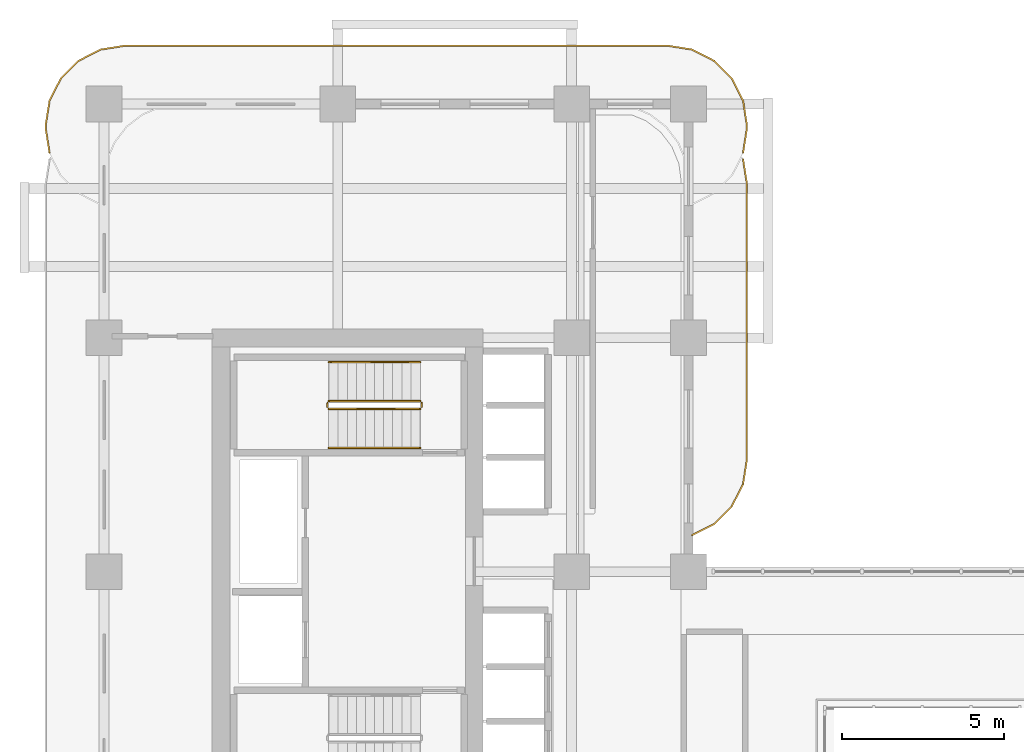
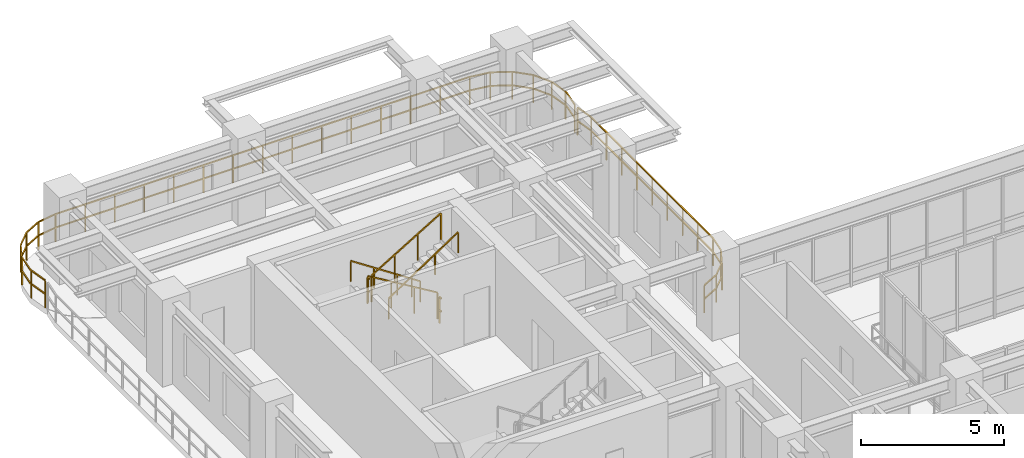
# One storey, part 22 of 22: 8 railings.
"""IFC4 building model written with IfcOpenShell, lengths in metres."""

from ifc_helpers import new_model, si_unit, derived_unit, direction, frame, origin, origin_2d, place, context, subcontext, project, spatial, rectangle, extrude, material, type_object, element, save


model = new_model("IFC4")

# Units and contexts
model_context = context("Model", 3, precision=1e-05, world=origin(), true_north=direction((0.0, 1.0)))
body_context = subcontext(model_context, "Body", "Model", "MODEL_VIEW")
ifc_project = project(units=[si_unit("LENGTHUNIT", "METRE"), si_unit("AREAUNIT", "SQUARE_METRE"), si_unit("VOLUMEUNIT", "CUBIC_METRE"), si_unit("PLANEANGLEUNIT", "RADIAN"), si_unit("MASSUNIT", "GRAM", prefix="KILO"), si_unit("THERMODYNAMICTEMPERATUREUNIT", "KELVIN"), si_unit("POWERUNIT", "WATT"), derived_unit("THERMALTRANSMITTANCEUNIT", [(si_unit("POWERUNIT", "WATT"), 1), (si_unit("AREAUNIT", "SQUARE_METRE"), -1), (si_unit("THERMODYNAMICTEMPERATUREUNIT", "KELVIN"), -1)])], contexts=[model_context])

# Site, building, storey
site_placement = place(None, origin())
site = spatial("IfcSite", under=ifc_project, at=site_placement, CompositionType="ELEMENT")
building_placement = place(site_placement, origin())
building = spatial("IfcBuilding", under=site, at=building_placement, Name="Zahravan Archway Hotel and Residences", CompositionType="ELEMENT")
storey_placement = place(building_placement, frame((0.0, 0.0, 95.300048828125)))
storey = spatial("IfcBuildingStorey", under=building, at=storey_placement, Name="L23", CompositionType="ELEMENT", Elevation=95.300048828125)

# Railings
ifc_material_1 = material(Name="Bronze & Laminated Glass Balustrade", Category="glass")
railing_type_1 = type_object("IfcRailingType", Name="RL-BAL-1200", PredefinedType="BALUSTRADE", material=ifc_material_1)
railing_1_placement = place(storey_placement, frame((-1.68017578125, 45.29296875, 0.0)))
element("IfcRailing", 1, at=railing_1_placement, inside=storey, type_object=railing_type_1, Name="L23 Balustrade RL-SLB-BAL-L23-NB-1", PredefinedType="BALUSTRADE", context=body_context, shape_type="SweptSolid", body=[
    extrude(rectangle(XDim=0.048095703125, YDim=0.048095703125, at=origin_2d()), frame((0.0, 0.0, 1.17578125), z_axis=(-0.156387811283, 0.987695728695, 0.0), x_axis=(-0.987695728695, -0.156387811283, 0.0)), (0.0, 0.0, 1.0), 0.7666015625),
    extrude(rectangle(XDim=0.048095703125, YDim=0.048095703125, at=origin_2d()), frame((0.0, 0.0, 0.60009765625), z_axis=(-0.156387811283, 0.987695728695, 0.0), x_axis=(-0.987695728695, -0.156387811283, 0.0)), (0.0, 0.0, 1.0), 0.7666015625),
    extrude(rectangle(XDim=0.048095703125, YDim=0.048095703125, at=origin_2d()), frame((-0.119873046875, 0.757080078125, 1.17578125), z_axis=(0.0, 1.0, 0.0), x_axis=(-1.0, 0.0, 0.0)), (0.0, 0.0, 1.0), 0.099853515625),
    extrude(rectangle(XDim=0.048095703125, YDim=0.048095703125, at=origin_2d()), frame((-0.119873046875, 0.757080078125, 0.60009765625), z_axis=(0.0, 1.0, 0.0), x_axis=(-1.0, 0.0, 0.0)), (0.0, 0.0, 1.0), 0.099853515625),
    extrude(rectangle(XDim=0.048095703125, YDim=0.048095703125, at=origin_2d()), frame((-0.119873046875, 0.85693359375, 1.17578125), z_axis=(0.156387811283, 0.987695728695, 0.0), x_axis=(-0.987695728695, 0.156387811283, 0.0)), (0.0, 0.0, 1.0), 0.7666015625),
    extrude(rectangle(XDim=0.048095703125, YDim=0.048095703125, at=origin_2d()), frame((-0.119873046875, 0.85693359375, 0.60009765625), z_axis=(0.156387811283, 0.987695728695, 0.0), x_axis=(-0.987695728695, 0.156387811283, 0.0)), (0.0, 0.0, 1.0), 0.7666015625),
    extrude(rectangle(XDim=0.048095703125, YDim=0.048095703125, at=origin_2d()), frame((0.0, 1.614013671875, 1.17578125), z_axis=(0.454078418624, 0.890961721815, 0.0), x_axis=(-0.890961721815, 0.454078418624, 0.0)), (0.0, 0.0, 1.0), 0.7666015625),
    extrude(rectangle(XDim=0.048095703125, YDim=0.048095703125, at=origin_2d()), frame((0.0, 1.614013671875, 0.60009765625), z_axis=(0.454078418624, 0.890961721815, 0.0), x_axis=(-0.890961721815, 0.454078418624, 0.0)), (0.0, 0.0, 1.0), 0.7666015625),
    extrude(rectangle(XDim=0.048095703125, YDim=0.048095703125, at=origin_2d()), frame((0.34814453125, 2.297119140625, 1.17578125), z_axis=(0.707106781187, 0.707106781187, 0.0), x_axis=(-0.707106781187, 0.707106781187, 0.0)), (0.0, 0.0, 1.0), 0.7666015625),
    extrude(rectangle(XDim=0.048095703125, YDim=0.048095703125, at=origin_2d()), frame((0.34814453125, 2.297119140625, 0.60009765625), z_axis=(0.707106781187, 0.707106781187, 0.0), x_axis=(-0.707106781187, 0.707106781187, 0.0)), (0.0, 0.0, 1.0), 0.7666015625),
    extrude(rectangle(XDim=0.048095703125, YDim=0.048095703125, at=origin_2d()), frame((0.89013671875, 2.839111328125, 1.17578125), z_axis=(0.891024909783, 0.453954414172, 0.0), x_axis=(-0.453954414172, 0.891024909783, 0.0)), (0.0, 0.0, 1.0), 0.766357421875),
    extrude(rectangle(XDim=0.048095703125, YDim=0.048095703125, at=origin_2d()), frame((0.89013671875, 2.839111328125, 0.60009765625), z_axis=(0.891024909783, 0.453954414172, 0.0), x_axis=(-0.453954414172, 0.891024909783, 0.0)), (0.0, 0.0, 1.0), 0.766357421875),
    extrude(rectangle(XDim=0.048095703125, YDim=0.048095703125, at=origin_2d()), frame((1.572998046875, 3.18701171875, 1.17578125), z_axis=(0.987646484274, 0.156698507018, 0.0), x_axis=(-0.156698507018, 0.987646484274, 0.0)), (0.0, 0.0, 1.0), 0.7666015625),
    extrude(rectangle(XDim=0.048095703125, YDim=0.048095703125, at=origin_2d()), frame((1.572998046875, 3.18701171875, 0.60009765625), z_axis=(0.987646484274, 0.156698507018, 0.0), x_axis=(-0.156698507018, 0.987646484274, 0.0)), (0.0, 0.0, 1.0), 0.7666015625),
    extrude(rectangle(XDim=0.048095703125, YDim=0.048095703125, at=origin_2d()), frame((2.330078125, 3.30712890625, 1.17578125), z_axis=(1.0, 0.0, 0.0), x_axis=(0.0, 1.0, 0.0)), (0.0, 0.0, 1.0), 16.7001953125),
    extrude(rectangle(XDim=0.048095703125, YDim=0.048095703125, at=origin_2d()), frame((2.330078125, 3.30712890625, 0.60009765625), z_axis=(1.0, 0.0, 0.0), x_axis=(0.0, 1.0, 0.0)), (0.0, 0.0, 1.0), 16.7001953125),
    extrude(rectangle(XDim=0.048095703125, YDim=0.048095703125, at=origin_2d()), frame((19.0302734375, 3.30712890625, 1.17578125), z_axis=(0.987646484274, -0.156698507018, 0.0), x_axis=(0.156698507018, 0.987646484274, 0.0)), (0.0, 0.0, 1.0), 0.7666015625),
    extrude(rectangle(XDim=0.048095703125, YDim=0.048095703125, at=origin_2d()), frame((19.0302734375, 3.30712890625, 0.60009765625), z_axis=(0.987646484274, -0.156698507018, 0.0), x_axis=(0.156698507018, 0.987646484274, 0.0)), (0.0, 0.0, 1.0), 0.7666015625),
    extrude(rectangle(XDim=0.048095703125, YDim=0.048095703125, at=origin_2d()), frame((19.787353515625, 3.18701171875, 1.17578125), z_axis=(0.891024909783, -0.453954414172, 0.0), x_axis=(0.453954414172, 0.891024909783, 0.0)), (0.0, 0.0, 1.0), 0.766357421875),
    extrude(rectangle(XDim=0.048095703125, YDim=0.048095703125, at=origin_2d()), frame((19.787353515625, 3.18701171875, 0.60009765625), z_axis=(0.891024909783, -0.453954414172, 0.0), x_axis=(0.453954414172, 0.891024909783, 0.0)), (0.0, 0.0, 1.0), 0.766357421875),
    extrude(rectangle(XDim=0.048095703125, YDim=0.048095703125, at=origin_2d()), frame((20.47021484375, 2.839111328125, 1.17578125), z_axis=(0.707106781187, -0.707106781187, 0.0), x_axis=(0.707106781187, 0.707106781187, 0.0)), (0.0, 0.0, 1.0), 0.7666015625),
    extrude(rectangle(XDim=0.048095703125, YDim=0.048095703125, at=origin_2d()), frame((20.47021484375, 2.839111328125, 0.60009765625), z_axis=(0.707106781187, -0.707106781187, 0.0), x_axis=(0.707106781187, 0.707106781187, 0.0)), (0.0, 0.0, 1.0), 0.7666015625),
    extrude(rectangle(XDim=0.048095703125, YDim=0.048095703125, at=origin_2d()), frame((21.01220703125, 2.297119140625, 1.17578125), z_axis=(0.454078418624, -0.890961721815, 0.0), x_axis=(0.890961721815, 0.454078418624, 0.0)), (0.0, 0.0, 1.0), 0.7666015625),
    extrude(rectangle(XDim=0.048095703125, YDim=0.048095703125, at=origin_2d()), frame((21.01220703125, 2.297119140625, 0.60009765625), z_axis=(0.454078418624, -0.890961721815, 0.0), x_axis=(0.890961721815, 0.454078418624, 0.0)), (0.0, 0.0, 1.0), 0.7666015625),
    extrude(rectangle(XDim=0.048095703125, YDim=0.048095703125, at=origin_2d()), frame((21.3603515625, 1.614013671875, 1.17578125), z_axis=(0.156387811283, -0.987695728695, 0.0), x_axis=(0.987695728695, 0.156387811283, 0.0)), (0.0, 0.0, 1.0), 0.7666015625),
    extrude(rectangle(XDim=0.048095703125, YDim=0.048095703125, at=origin_2d()), frame((21.3603515625, 1.614013671875, 0.60009765625), z_axis=(0.156387811283, -0.987695728695, 0.0), x_axis=(0.987695728695, 0.156387811283, 0.0)), (0.0, 0.0, 1.0), 0.7666015625),
    extrude(rectangle(XDim=0.048095703125, YDim=0.048095703125, at=origin_2d()), frame((21.480224609375, 0.85693359375, 1.17578125), z_axis=(0.0, -1.0, 0.0), x_axis=(1.0, 0.0, 0.0)), (0.0, 0.0, 1.0), 0.099853515625),
    extrude(rectangle(XDim=0.048095703125, YDim=0.048095703125, at=origin_2d()), frame((21.480224609375, 0.85693359375, 0.60009765625), z_axis=(0.0, -1.0, 0.0), x_axis=(1.0, 0.0, 0.0)), (0.0, 0.0, 1.0), 0.099853515625),
    extrude(rectangle(XDim=0.048095703125, YDim=0.048095703125, at=origin_2d()), frame((21.480224609375, 0.757080078125, 1.17578125), z_axis=(-0.156387811283, -0.987695728695, 0.0), x_axis=(0.987695728695, -0.156387811283, 0.0)), (0.0, 0.0, 1.0), 0.7666015625),
    extrude(rectangle(XDim=0.048095703125, YDim=0.048095703125, at=origin_2d()), frame((21.480224609375, 0.757080078125, 0.60009765625), z_axis=(-0.156387811283, -0.987695728695, 0.0), x_axis=(0.987695728695, -0.156387811283, 0.0)), (0.0, 0.0, 1.0), 0.7666015625),
    extrude(rectangle(XDim=0.0419921875, YDim=0.0419921875, at=origin_2d()), origin(), (0.0, 0.0, 1.0), 1.15185546875),
    extrude(rectangle(XDim=0.0419921875, YDim=0.0419921875, at=origin_2d()), frame((-0.119873046875, 0.757080078125, 0.0)), (0.0, 0.0, 1.0), 1.15185546875),
    extrude(rectangle(XDim=0.0419921875, YDim=0.0419921875, at=origin_2d()), frame((0.0, 1.614013671875, 0.0)), (0.0, 0.0, 1.0), 1.15185546875),
    extrude(rectangle(XDim=0.0419921875, YDim=0.0419921875, at=origin_2d()), frame((0.34814453125, 2.297119140625, 0.0)), (0.0, 0.0, 1.0), 1.15185546875),
    extrude(rectangle(XDim=0.0419921875, YDim=0.0419921875, at=origin_2d()), frame((0.89013671875, 2.839111328125, 0.0)), (0.0, 0.0, 1.0), 1.15185546875),
    extrude(rectangle(XDim=0.0419921875, YDim=0.0419921875, at=origin_2d()), frame((1.572998046875, 3.18701171875, 0.0)), (0.0, 0.0, 1.0), 1.15185546875),
    extrude(rectangle(XDim=0.0419921875, YDim=0.0419921875, at=origin_2d()), frame((2.330078125, 3.30712890625, 0.0)), (0.0, 0.0, 1.0), 1.15185546875),
    extrude(rectangle(XDim=0.0419921875, YDim=0.0419921875, at=origin_2d()), frame((3.52294921875, 3.30712890625, 0.0)), (0.0, 0.0, 1.0), 1.15185546875),
    extrude(rectangle(XDim=0.0419921875, YDim=0.0419921875, at=origin_2d()), frame((4.7158203125, 3.30712890625, 0.0)), (0.0, 0.0, 1.0), 1.15185546875),
    extrude(rectangle(XDim=0.0419921875, YDim=0.0419921875, at=origin_2d()), frame((5.90869140625, 3.30712890625, 0.0)), (0.0, 0.0, 1.0), 1.15185546875),
    extrude(rectangle(XDim=0.0419921875, YDim=0.0419921875, at=origin_2d()), frame((7.1015625, 3.30712890625, 0.0)), (0.0, 0.0, 1.0), 1.15185546875),
    extrude(rectangle(XDim=0.0419921875, YDim=0.0419921875, at=origin_2d()), frame((8.29443359375, 3.30712890625, 0.0)), (0.0, 0.0, 1.0), 1.15185546875),
    extrude(rectangle(XDim=0.0419921875, YDim=0.0419921875, at=origin_2d()), frame((9.4873046875, 3.30712890625, 0.0)), (0.0, 0.0, 1.0), 1.15185546875),
    extrude(rectangle(XDim=0.0419921875, YDim=0.0419921875, at=origin_2d()), frame((10.68017578125, 3.30712890625, 0.0)), (0.0, 0.0, 1.0), 1.15185546875),
    extrude(rectangle(XDim=0.0419921875, YDim=0.0419921875, at=origin_2d()), frame((11.873046875, 3.30712890625, 0.0)), (0.0, 0.0, 1.0), 1.15185546875),
    extrude(rectangle(XDim=0.0419921875, YDim=0.0419921875, at=origin_2d()), frame((13.06591796875, 3.30712890625, 0.0)), (0.0, 0.0, 1.0), 1.15185546875),
    extrude(rectangle(XDim=0.0419921875, YDim=0.0419921875, at=origin_2d()), frame((14.2587890625, 3.30712890625, 0.0)), (0.0, 0.0, 1.0), 1.15185546875),
    extrude(rectangle(XDim=0.0419921875, YDim=0.0419921875, at=origin_2d()), frame((15.45166015625, 3.30712890625, 0.0)), (0.0, 0.0, 1.0), 1.15185546875),
    extrude(rectangle(XDim=0.0419921875, YDim=0.0419921875, at=origin_2d()), frame((16.64453125, 3.30712890625, 0.0)), (0.0, 0.0, 1.0), 1.15185546875),
    extrude(rectangle(XDim=0.0419921875, YDim=0.0419921875, at=origin_2d()), frame((17.83740234375, 3.30712890625, 0.0)), (0.0, 0.0, 1.0), 1.15185546875),
    extrude(rectangle(XDim=0.0419921875, YDim=0.0419921875, at=origin_2d()), frame((19.0302734375, 3.30712890625, 0.0)), (0.0, 0.0, 1.0), 1.15185546875),
    extrude(rectangle(XDim=0.0419921875, YDim=0.0419921875, at=origin_2d()), frame((19.787353515625, 3.18701171875, 0.0)), (0.0, 0.0, 1.0), 1.15185546875),
    extrude(rectangle(XDim=0.0419921875, YDim=0.0419921875, at=origin_2d()), frame((20.47021484375, 2.839111328125, 0.0)), (0.0, 0.0, 1.0), 1.15185546875),
    extrude(rectangle(XDim=0.0419921875, YDim=0.0419921875, at=origin_2d()), frame((21.01220703125, 2.297119140625, 0.0)), (0.0, 0.0, 1.0), 1.15185546875),
    extrude(rectangle(XDim=0.0419921875, YDim=0.0419921875, at=origin_2d()), frame((21.3603515625, 1.614013671875, 0.0)), (0.0, 0.0, 1.0), 1.15185546875),
    extrude(rectangle(XDim=0.0419921875, YDim=0.0419921875, at=origin_2d()), frame((21.480224609375, 0.85693359375, 0.0)), (0.0, 0.0, 1.0), 1.15185546875),
    extrude(rectangle(XDim=0.0419921875, YDim=0.0419921875, at=origin_2d()), frame((21.3603515625, 0.0, 0.0)), (0.0, 0.0, 1.0), 1.15185546875),
])
railing_2_placement = place(storey_placement, frame((19.68017578125, 45.107177734375, 0.0)))
element("IfcRailing", 2, at=railing_2_placement, inside=storey, type_object=railing_type_1, Name="L23 Balustrade RL-SLB-BAL-L23-EB-1", PredefinedType="BALUSTRADE", context=body_context, shape_type="SweptSolid", body=[
    extrude(rectangle(XDim=0.048095703125, YDim=0.048095703125, at=origin_2d()), frame((0.0, 0.0, 1.17578125), z_axis=(0.156387811283, -0.987695728695, 0.0), x_axis=(0.987695728695, 0.156387811283, 0.0)), (0.0, 0.0, 1.0), 0.7666015625),
    extrude(rectangle(XDim=0.048095703125, YDim=0.048095703125, at=origin_2d()), frame((0.0, 0.0, 0.60009765625), z_axis=(0.156387811283, -0.987695728695, 0.0), x_axis=(0.987695728695, 0.156387811283, 0.0)), (0.0, 0.0, 1.0), 0.7666015625),
    extrude(rectangle(XDim=0.048095703125, YDim=0.048095703125, at=origin_2d()), frame((0.119873046875, -0.757080078125, 1.17578125), z_axis=(0.0, -1.0, 0.0), x_axis=(1.0, 0.0, 0.0)), (0.0, 0.0, 1.0), 8.5),
    extrude(rectangle(XDim=0.048095703125, YDim=0.048095703125, at=origin_2d()), frame((0.119873046875, -0.757080078125, 0.60009765625), z_axis=(0.0, -1.0, 0.0), x_axis=(1.0, 0.0, 0.0)), (0.0, 0.0, 1.0), 8.5),
    extrude(rectangle(XDim=0.048095703125, YDim=0.048095703125, at=origin_2d()), frame((0.119873046875, -9.257080078125, 1.17578125), z_axis=(-0.156387811283, -0.987695728695, 0.0), x_axis=(0.987695728695, -0.156387811283, 0.0)), (0.0, 0.0, 1.0), 0.7666015625),
    extrude(rectangle(XDim=0.048095703125, YDim=0.048095703125, at=origin_2d()), frame((0.119873046875, -9.257080078125, 0.60009765625), z_axis=(-0.156387811283, -0.987695728695, 0.0), x_axis=(0.987695728695, -0.156387811283, 0.0)), (0.0, 0.0, 1.0), 0.7666015625),
    extrude(rectangle(XDim=0.048095703125, YDim=0.048095703125, at=origin_2d()), frame((0.0, -10.01416015625, 1.17578125), z_axis=(-0.454078418624, -0.890961721815, 0.0), x_axis=(0.890961721815, -0.454078418624, 0.0)), (0.0, 0.0, 1.0), 0.7666015625),
    extrude(rectangle(XDim=0.048095703125, YDim=0.048095703125, at=origin_2d()), frame((0.0, -10.01416015625, 0.60009765625), z_axis=(-0.454078418624, -0.890961721815, 0.0), x_axis=(0.890961721815, -0.454078418624, 0.0)), (0.0, 0.0, 1.0), 0.7666015625),
    extrude(rectangle(XDim=0.048095703125, YDim=0.048095703125, at=origin_2d()), frame((-0.34814453125, -10.697265625, 1.17578125), z_axis=(-0.707106781187, -0.707106781187, 0.0), x_axis=(0.707106781187, -0.707106781187, 0.0)), (0.0, 0.0, 1.0), 0.7666015625),
    extrude(rectangle(XDim=0.048095703125, YDim=0.048095703125, at=origin_2d()), frame((-0.34814453125, -10.697265625, 0.60009765625), z_axis=(-0.707106781187, -0.707106781187, 0.0), x_axis=(0.707106781187, -0.707106781187, 0.0)), (0.0, 0.0, 1.0), 0.7666015625),
    extrude(rectangle(XDim=0.048095703125, YDim=0.048095703125, at=origin_2d()), frame((-0.89013671875, -11.2392578125, 1.17578125), z_axis=(-0.891024909783, -0.453954414172, 0.0), x_axis=(0.453954414172, -0.891024909783, 0.0)), (0.0, 0.0, 1.0), 0.766357421875),
    extrude(rectangle(XDim=0.048095703125, YDim=0.048095703125, at=origin_2d()), frame((-0.89013671875, -11.2392578125, 0.60009765625), z_axis=(-0.891024909783, -0.453954414172, 0.0), x_axis=(0.453954414172, -0.891024909783, 0.0)), (0.0, 0.0, 1.0), 0.766357421875),
    extrude(rectangle(XDim=0.0419921875, YDim=0.0419921875, at=origin_2d()), origin(), (0.0, 0.0, 1.0), 1.15185546875),
    extrude(rectangle(XDim=0.0419921875, YDim=0.0419921875, at=origin_2d()), frame((0.119873046875, -0.757080078125, 0.0)), (0.0, 0.0, 1.0), 1.15185546875),
    extrude(rectangle(XDim=0.0419921875, YDim=0.0419921875, at=origin_2d()), frame((0.119873046875, -1.819580078125, 0.0)), (0.0, 0.0, 1.0), 1.15185546875),
    extrude(rectangle(XDim=0.0419921875, YDim=0.0419921875, at=origin_2d()), frame((0.119873046875, -2.882080078125, 0.0)), (0.0, 0.0, 1.0), 1.15185546875),
    extrude(rectangle(XDim=0.0419921875, YDim=0.0419921875, at=origin_2d()), frame((0.119873046875, -3.944580078125, 0.0)), (0.0, 0.0, 1.0), 1.15185546875),
    extrude(rectangle(XDim=0.0419921875, YDim=0.0419921875, at=origin_2d()), frame((0.119873046875, -5.007080078125, 0.0)), (0.0, 0.0, 1.0), 1.15185546875),
    extrude(rectangle(XDim=0.0419921875, YDim=0.0419921875, at=origin_2d()), frame((0.119873046875, -6.069580078125, 0.0)), (0.0, 0.0, 1.0), 1.15185546875),
    extrude(rectangle(XDim=0.0419921875, YDim=0.0419921875, at=origin_2d()), frame((0.119873046875, -7.132080078125, 0.0)), (0.0, 0.0, 1.0), 1.15185546875),
    extrude(rectangle(XDim=0.0419921875, YDim=0.0419921875, at=origin_2d()), frame((0.119873046875, -8.194580078125, 0.0)), (0.0, 0.0, 1.0), 1.15185546875),
    extrude(rectangle(XDim=0.0419921875, YDim=0.0419921875, at=origin_2d()), frame((0.119873046875, -9.257080078125, 0.0)), (0.0, 0.0, 1.0), 1.15185546875),
    extrude(rectangle(XDim=0.0419921875, YDim=0.0419921875, at=origin_2d()), frame((0.0, -10.01416015625, 0.0)), (0.0, 0.0, 1.0), 1.15185546875),
    extrude(rectangle(XDim=0.0419921875, YDim=0.0419921875, at=origin_2d()), frame((-0.34814453125, -10.697265625, 0.0)), (0.0, 0.0, 1.0), 1.15185546875),
    extrude(rectangle(XDim=0.0419921875, YDim=0.0419921875, at=origin_2d()), frame((-0.89013671875, -11.2392578125, 0.0)), (0.0, 0.0, 1.0), 1.15185546875),
    extrude(rectangle(XDim=0.0419921875, YDim=0.0419921875, at=origin_2d()), frame((-1.572998046875, -11.587158203125, 0.0)), (0.0, 0.0, 1.0), 1.15185546875),
])
ifc_material_2 = material(Name="Painted Tubular Steel", Category="steel")
railing_type_2 = type_object("IfcRailingType", Name="RL-STG-1150", PredefinedType="GUARDRAIL", material=ifc_material_2)
railing_3_placement = place(storey_placement, frame((9.72998046875, 37.64990234375, 0.168212890625)))
element("IfcRailing", 3, at=railing_3_placement, inside=storey, type_object=railing_type_2, Name="L23 ST-B2 stair guard 1", PredefinedType="GUARDRAIL", context=body_context, shape_type="SweptSolid", body=[
    extrude(rectangle(XDim=0.048095703125, YDim=0.048095703125, at=origin_2d()), frame((0.0, 0.0, 1.1259765625), z_axis=(-0.857275202839, 0.0, 0.514858452973), x_axis=(0.0, -1.0, 0.0)), (0.0, 0.0, 1.0), 3.26611328125),
    extrude(rectangle(XDim=0.0419921875, YDim=0.0419921875, at=origin_2d()), origin(), (0.0, 0.0, 1.0), 1.101806640625),
    extrude(rectangle(XDim=0.0419921875, YDim=0.0419921875, at=origin_2d()), frame((-0.933349609375, 0.0, 0.560546875)), (0.0, 0.0, 1.0), 1.101806640625),
    extrude(rectangle(XDim=0.0419921875, YDim=0.0419921875, at=origin_2d()), frame((-1.86669921875, 0.0, 1.12109375)), (0.0, 0.0, 1.0), 1.101806640625),
    extrude(rectangle(XDim=0.0419921875, YDim=0.0419921875, at=origin_2d()), frame((-2.800048828125, 0.0, 1.681640625)), (0.0, 0.0, 1.0), 1.101806640625),
])
railing_4_placement = place(storey_placement, frame((6.8798828125, 37.60009765625, 1.849853515625)))
element("IfcRailing", 4, at=railing_4_placement, inside=storey, type_object=railing_type_2, Name="L23 ST-B2 stair guard 2", PredefinedType="GUARDRAIL", context=body_context, shape_type="SweptSolid", body=[
    extrude(rectangle(XDim=0.048095703125, YDim=0.048095703125, at=origin_2d()), frame((0.0, 0.0, 1.1259765625), z_axis=(0.0, -1.0, 0.0), x_axis=(1.0, 0.0, 0.0)), (0.0, 0.0, 1.0), 0.14013671875),
    extrude(rectangle(XDim=0.048095703125, YDim=0.048095703125, at=origin_2d()), frame((0.0, 0.0, 0.574951171875), z_axis=(0.0, -1.0, 0.0), x_axis=(1.0, 0.0, 0.0)), (0.0, 0.0, 1.0), 0.14013671875),
    extrude(rectangle(XDim=0.0419921875, YDim=0.0419921875, at=origin_2d()), origin(), (0.0, 0.0, 1.0), 1.101806640625),
])
railing_5_placement = place(storey_placement, frame((6.929931640625, 37.409912109375, 2.01806640625)))
element("IfcRailing", 5, at=railing_5_placement, inside=storey, type_object=railing_type_2, Name="L23 ST-B2 stair guard 3", PredefinedType="GUARDRAIL", context=body_context, shape_type="SweptSolid", body=[
    extrude(rectangle(XDim=0.048095703125, YDim=0.048095703125, at=origin_2d()), frame((0.0, 0.0, 1.1259765625), z_axis=(0.857242210791, 0.0, 0.514913383045), x_axis=(0.0, 1.0, 0.0)), (0.0, 0.0, 1.0), 3.266357421875),
    extrude(rectangle(XDim=0.0419921875, YDim=0.0419921875, at=origin_2d()), origin(), (0.0, 0.0, 1.0), 1.101806640625),
    extrude(rectangle(XDim=0.0419921875, YDim=0.0419921875, at=origin_2d()), frame((0.933349609375, 0.0, 0.560546875)), (0.0, 0.0, 1.0), 1.101806640625),
    extrude(rectangle(XDim=0.0419921875, YDim=0.0419921875, at=origin_2d()), frame((1.86669921875, 0.0, 1.121337890625)), (0.0, 0.0, 1.0), 1.101806640625),
    extrude(rectangle(XDim=0.0419921875, YDim=0.0419921875, at=origin_2d()), frame((2.800048828125, 0.0, 1.681884765625)), (0.0, 0.0, 1.0), 1.101806640625),
])
railing_6_placement = place(storey_placement, frame((9.780029296875, 37.60009765625, 0.0)))
element("IfcRailing", 6, at=railing_6_placement, inside=storey, type_object=railing_type_2, Name="L23 ST-B2 stair guard 4", PredefinedType="GUARDRAIL", context=body_context, shape_type="SweptSolid", body=[
    extrude(rectangle(XDim=0.048095703125, YDim=0.048095703125, at=origin_2d()), frame((0.0, 0.0, 1.1259765625), z_axis=(0.0, -1.0, 0.0), x_axis=(1.0, 0.0, 0.0)), (0.0, 0.0, 1.0), 0.14013671875),
    extrude(rectangle(XDim=0.048095703125, YDim=0.048095703125, at=origin_2d()), frame((0.0, 0.0, 0.574951171875), z_axis=(0.0, -1.0, 0.0), x_axis=(1.0, 0.0, 0.0)), (0.0, 0.0, 1.0), 0.14013671875),
    extrude(rectangle(XDim=0.0419921875, YDim=0.0419921875, at=origin_2d()), origin(), (0.0, 0.0, 1.0), 1.101806640625),
])
ifc_material_3 = material(Name="Brushed Stainless Steel", Category="steel")
railing_type_3 = type_object("IfcRailingType", Name="RL-STH-900", PredefinedType="HANDRAIL", material=ifc_material_3)
railing_7_placement = place(storey_placement, frame((9.72998046875, 38.85009765625, 0.168212890625)))
element("IfcRailing", 7, at=railing_7_placement, inside=storey, type_object=railing_type_3, Name="L23 ST-B2 stair handrail 1", PredefinedType="HANDRAIL", context=body_context, shape_type="SweptSolid", body=[
    extrude(rectangle(XDim=0.048095703125, YDim=0.048095703125, at=origin_2d()), frame((0.0, 0.0, 0.8759765625), z_axis=(-0.83435981716, 0.0, 0.551220187865), x_axis=(0.0, -1.0, 0.0)), (0.0, 0.0, 1.0), 3.35595703125),
    extrude(rectangle(XDim=0.0419921875, YDim=0.0419921875, at=origin_2d()), origin(), (0.0, 0.0, 1.0), 0.851806640625),
    extrude(rectangle(XDim=0.0419921875, YDim=0.0419921875, at=origin_2d()), frame((-0.933349609375, 0.0, 0.61669921875)), (0.0, 0.0, 1.0), 0.851806640625),
    extrude(rectangle(XDim=0.0419921875, YDim=0.0419921875, at=origin_2d()), frame((-1.86669921875, 0.0, 1.233154296875)), (0.0, 0.0, 1.0), 0.851806640625),
    extrude(rectangle(XDim=0.0419921875, YDim=0.0419921875, at=origin_2d()), frame((-2.800048828125, 0.0, 1.849853515625)), (0.0, 0.0, 1.0), 0.851806640625),
])
railing_8_placement = place(storey_placement, frame((6.929931640625, 36.2099609375, 2.01806640625)))
element("IfcRailing", 8, at=railing_8_placement, inside=storey, type_object=railing_type_3, Name="L23 ST-B2 stair handrail 2", PredefinedType="HANDRAIL", context=body_context, shape_type="SweptSolid", body=[
    extrude(rectangle(XDim=0.048095703125, YDim=0.048095703125, at=origin_2d()), frame((0.0, 0.0, 0.8759765625), z_axis=(0.834326358476, 0.0, 0.551270829586), x_axis=(0.0, 1.0, 0.0)), (0.0, 0.0, 1.0), 3.35595703125),
    extrude(rectangle(XDim=0.0419921875, YDim=0.0419921875, at=origin_2d()), origin(), (0.0, 0.0, 1.0), 0.851806640625),
    extrude(rectangle(XDim=0.0419921875, YDim=0.0419921875, at=origin_2d()), frame((0.933349609375, 0.0, 0.61669921875)), (0.0, 0.0, 1.0), 0.851806640625),
    extrude(rectangle(XDim=0.0419921875, YDim=0.0419921875, at=origin_2d()), frame((1.86669921875, 0.0, 1.2333984375)), (0.0, 0.0, 1.0), 0.851806640625),
    extrude(rectangle(XDim=0.0419921875, YDim=0.0419921875, at=origin_2d()), frame((2.800048828125, 0.0, 1.85009765625)), (0.0, 0.0, 1.0), 0.851806640625),
])

save(model, "model.ifc")
